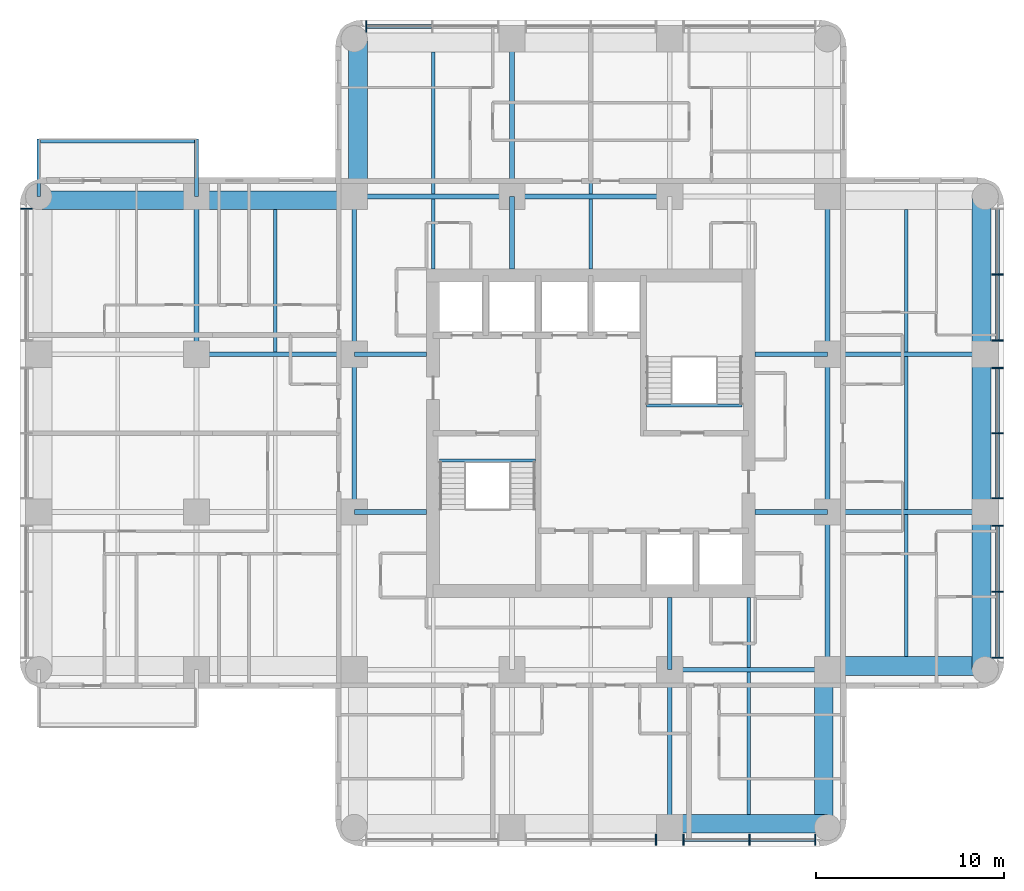
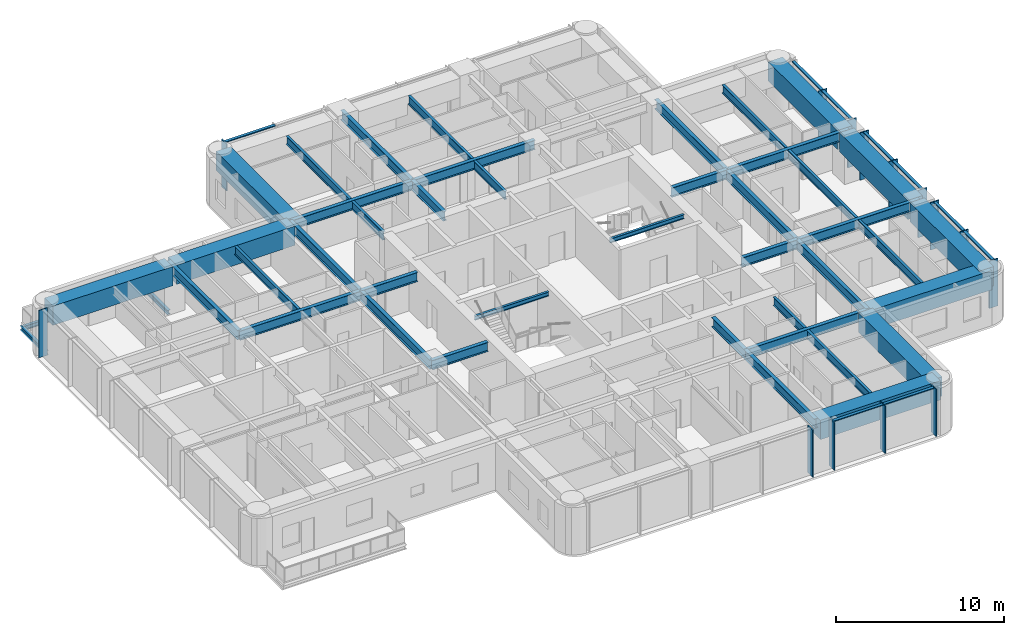
# One storey, part 2 of 11: 44 beams, 23 members, 4 elements without a shape of their own.
"""IFC4 building model written with IfcOpenShell, lengths in metres."""

from ifc_helpers import new_model, si_unit, direction, frame, origin, origin_2d, place, context, subcontext, project, spatial, rectangle, i_section, extrude, material, material_profile, profile_set, type_object, element, aggregate, save


model = new_model("IFC4")

# Units and contexts
model_context = context("Model", 3, precision=1e-05, world=origin(), true_north=direction((0.0, 1.0)))
body_context = subcontext(model_context, "Body", "Model", "MODEL_VIEW")
ifc_project = project(units=[si_unit("LENGTHUNIT", "METRE"), si_unit("AREAUNIT", "SQUARE_METRE"), si_unit("VOLUMEUNIT", "CUBIC_METRE"), si_unit("PLANEANGLEUNIT", "RADIAN"), si_unit("MASSUNIT", "GRAM", prefix="KILO")], contexts=[model_context])

# Site, building, storey
site_placement = place(None, origin())
site = spatial("IfcSite", under=ifc_project, at=site_placement, CompositionType="ELEMENT")
building_placement = place(site_placement, origin())
building = spatial("IfcBuilding", under=site, at=building_placement, Name="Torre Alcanfor", CompositionType="ELEMENT")
storey_placement = place(building_placement, frame((0.0, 0.0, 237.300048828125)))
storey = spatial("IfcBuildingStorey", under=building, at=storey_placement, Name="L62", CompositionType="ELEMENT", Elevation=237.300048828125)

# Beams
ifc_material_1 = material(Name="Steel ASTM A992 Grade 50", Category="steel")
ifc_material_profile_1 = material_profile(ifc_material_1, i_section(OverallWidth=0.205322265625, OverallDepth=0.309814453125, WebThickness=0.00927734375, FlangeThickness=0.016357421875, at=origin_2d()), Name="W12x50")
ifc_profile_set_1 = profile_set([ifc_material_profile_1], Name="Steel ASTM A992 Grade 50")
beam_type_1 = type_object("IfcBeamType", Name="Balcony cantilever beam W12x50", PredefinedType="BEAM", material=ifc_profile_set_1)
for number, where, z_axis, x_axis, name in (
    (1, (8.39990234375, 42.0, -0.35498046875), (0.0, 1.0, 0.0), (-1.0, 0.0, 0.0), "Balcony cantilever beam L62-W2 1"),
    (2, (0.0, 42.0, -0.35498046875), (0.0, 1.0, 0.0), (-1.0, 0.0, 0.0), "Balcony cantilever beam L62-W2 2"),
):
    element("IfcBeam", number, at=place(storey_placement, frame(where, z_axis=z_axis, x_axis=x_axis)), inside=storey, type_object=beam_type_1, Name=name, PredefinedType="BEAM", context=body_context, shape_type="SweptSolid", body=[
        extrude(i_section(OverallWidth=0.205322265625, OverallDepth=0.309814453125, WebThickness=0.00927734375, FlangeThickness=0.016357421875, at=origin_2d()), origin(), (0.0, 0.0, 1.0), 3.050048828125),
    ])
ifc_material_2 = material(Name="Steel ASTM A992 Grade 50", Category="steel")
ifc_material_profile_2 = material_profile(ifc_material_2, i_section(OverallWidth=0.203369140625, OverallDepth=0.30224609375, WebThickness=0.007568359375, FlangeThickness=0.01318359375, at=origin_2d()), Name="W12x40")
ifc_profile_set_2 = profile_set([ifc_material_profile_2], Name="Steel ASTM A992 Grade 50")
beam_type_2 = type_object("IfcBeamType", Name="Balcony edge trimmer W12x40", PredefinedType="BEAM", material=ifc_profile_set_2)
beam_1_placement = place(storey_placement, frame((8.39990234375, 44.9482421875, -0.35107421875), z_axis=(-1.0, 0.0, 0.0), x_axis=(0.0, -1.0, 0.0)))
element("IfcBeam", 3, at=beam_1_placement, inside=storey, type_object=beam_type_2, Name="Balcony edge trimmer L62-W2", PredefinedType="BEAM", context=body_context, shape_type="SweptSolid", body=[
    extrude(i_section(OverallWidth=0.203369140625, OverallDepth=0.30224609375, WebThickness=0.007568359375, FlangeThickness=0.01318359375, at=origin_2d()), origin(), (0.0, 0.0, 1.0), 8.39990234375),
])

# Curtain wall, member
ifc_material_3 = material(Name="Aluminium and glass", Category="aluminium")
curtain_wall_type = type_object("IfcCurtainWallType", Name="CW-A unitised apartment glazing with vertical FIN", PredefinedType="NOTDEFINED", material=ifc_material_3)
curtain_wall_1_placement = place(storey_placement, origin())
curtain_wall_1 = element("IfcCurtainWall", 4, at=curtain_wall_1_placement, inside=storey, type_object=curtain_wall_type, Name="Curtain wall CW-A L62 2", PredefinedType="NOTDEFINED")
ifc_material_4 = material(Name="Bronze anodised aluminium", Category="aluminium")
ifc_material_profile_3 = material_profile(ifc_material_4, rectangle(XDim=0.60009765625, YDim=0.06494140625, at=origin_2d()), Name="CW-A mullion 65x600")
ifc_profile_set_3 = profile_set([ifc_material_profile_3], Name="Bronze anodised aluminium")
member_type_1 = type_object("IfcMemberType", Name="CW-A mullion with vertical FIN 65x600", PredefinedType="MULLION", material=ifc_profile_set_3)
member_1_placement = place(storey_placement, frame((-0.64990234375, 41.35546875, 0.0), z_axis=(0.0, 0.0, 1.0), x_axis=(1.0, 0.0, 0.0)))
member_1 = element("IfcMember", 5, at=member_1_placement, type_object=member_type_1, Name="CW-A mullion 1.1", PredefinedType="MULLION", context=body_context, shape_type="SweptSolid", body=[
    extrude(rectangle(XDim=0.60009765625, YDim=0.06494140625, at=origin_2d()), origin(), (0.0, 0.0, 1.0), 3.449951171875),
])
aggregate(curtain_wall_1, [member_1])

# Curtain wall, members
curtain_wall_2_placement = place(storey_placement, origin())
curtain_wall_2 = element("IfcCurtainWall", 6, at=curtain_wall_2_placement, inside=storey, type_object=curtain_wall_type, Name="Curtain wall CW-A L62 5", PredefinedType="NOTDEFINED")
member_2_placement = place(storey_placement, frame((32.862548828125, 7.75, 0.0), z_axis=(0.0, 0.0, 1.0), x_axis=(0.0, 1.0, 0.0)))
member_2 = element("IfcMember", 7, at=member_2_placement, type_object=member_type_1, Name="CW-A mullion 2.3", PredefinedType="MULLION", context=body_context, shape_type="SweptSolid", body=[
    extrude(rectangle(XDim=0.60009765625, YDim=0.06494140625, at=origin_2d()), origin(), (0.0, 0.0, 1.0), 3.449951171875),
])
member_3_placement = place(storey_placement, frame((34.33740234375, 7.75, 0.0), z_axis=(0.0, 0.0, 1.0), x_axis=(0.0, 1.0, 0.0)))
member_3 = element("IfcMember", 8, at=member_3_placement, type_object=member_type_1, Name="CW-A mullion 3.1", PredefinedType="MULLION", context=body_context, shape_type="SweptSolid", body=[
    extrude(rectangle(XDim=0.60009765625, YDim=0.06494140625, at=origin_2d()), origin(), (0.0, 0.0, 1.0), 3.449951171875),
])
member_4_placement = place(storey_placement, frame((37.846435546875, 7.75, 0.0), z_axis=(0.0, 0.0, 1.0), x_axis=(0.0, 1.0, 0.0)))
member_4 = element("IfcMember", 9, at=member_4_placement, type_object=member_type_1, Name="CW-A mullion 3.2", PredefinedType="MULLION", context=body_context, shape_type="SweptSolid", body=[
    extrude(rectangle(XDim=0.60009765625, YDim=0.06494140625, at=origin_2d()), origin(), (0.0, 0.0, 1.0), 3.449951171875),
])
member_5_placement = place(storey_placement, frame((41.35546875, 7.75, 0.0), z_axis=(0.0, 0.0, 1.0), x_axis=(0.0, 1.0, 0.0)))
member_5 = element("IfcMember", 10, at=member_5_placement, type_object=member_type_1, Name="CW-A mullion 3.3", PredefinedType="MULLION", context=body_context, shape_type="SweptSolid", body=[
    extrude(rectangle(XDim=0.60009765625, YDim=0.06494140625, at=origin_2d()), origin(), (0.0, 0.0, 1.0), 3.449951171875),
])

curtain_wall_3_placement = place(storey_placement, origin())
curtain_wall_3 = element("IfcCurtainWall", 11, at=curtain_wall_3_placement, inside=storey, type_object=curtain_wall_type, Name="Curtain wall CW-A L62 8", PredefinedType="NOTDEFINED")
member_6_placement = place(storey_placement, frame((51.050048828125, 17.444580078125, 0.0), z_axis=(0.0, 0.0, 1.0), x_axis=(-1.0, 0.0, 0.0)))
member_6 = element("IfcMember", 12, at=member_6_placement, type_object=member_type_1, Name="CW-A mullion 1.1", PredefinedType="MULLION", context=body_context, shape_type="SweptSolid", body=[
    extrude(rectangle(XDim=0.60009765625, YDim=0.06494140625, at=origin_2d()), origin(), (0.0, 0.0, 1.0), 3.449951171875),
])
member_7_placement = place(storey_placement, frame((51.050048828125, 20.95361328125, 0.0), z_axis=(0.0, 0.0, 1.0), x_axis=(-1.0, 0.0, 0.0)))
member_7 = element("IfcMember", 13, at=member_7_placement, type_object=member_type_1, Name="CW-A mullion 1.2", PredefinedType="MULLION", context=body_context, shape_type="SweptSolid", body=[
    extrude(rectangle(XDim=0.60009765625, YDim=0.06494140625, at=origin_2d()), origin(), (0.0, 0.0, 1.0), 3.449951171875),
])
member_8_placement = place(storey_placement, frame((51.050048828125, 24.46240234375, 0.0), z_axis=(0.0, 0.0, 1.0), x_axis=(-1.0, 0.0, 0.0)))
member_8 = element("IfcMember", 14, at=member_8_placement, type_object=member_type_1, Name="CW-A mullion 1.3", PredefinedType="MULLION", context=body_context, shape_type="SweptSolid", body=[
    extrude(rectangle(XDim=0.60009765625, YDim=0.06494140625, at=origin_2d()), origin(), (0.0, 0.0, 1.0), 3.449951171875),
])
member_9_placement = place(storey_placement, frame((51.050048828125, 25.9375, 0.0), z_axis=(0.0, 0.0, 1.0), x_axis=(-1.0, 0.0, 0.0)))
member_9 = element("IfcMember", 15, at=member_9_placement, type_object=member_type_1, Name="CW-A mullion 2.1", PredefinedType="MULLION", context=body_context, shape_type="SweptSolid", body=[
    extrude(rectangle(XDim=0.60009765625, YDim=0.06494140625, at=origin_2d()), origin(), (0.0, 0.0, 1.0), 3.449951171875),
])
member_10_placement = place(storey_placement, frame((51.050048828125, 29.39990234375, 0.0), z_axis=(0.0, 0.0, 1.0), x_axis=(-1.0, 0.0, 0.0)))
member_10 = element("IfcMember", 16, at=member_10_placement, type_object=member_type_1, Name="CW-A mullion 2.2", PredefinedType="MULLION", context=body_context, shape_type="SweptSolid", body=[
    extrude(rectangle(XDim=0.60009765625, YDim=0.06494140625, at=origin_2d()), origin(), (0.0, 0.0, 1.0), 3.449951171875),
])
member_11_placement = place(storey_placement, frame((51.050048828125, 32.862548828125, 0.0), z_axis=(0.0, 0.0, 1.0), x_axis=(-1.0, 0.0, 0.0)))
member_11 = element("IfcMember", 17, at=member_11_placement, type_object=member_type_1, Name="CW-A mullion 2.3", PredefinedType="MULLION", context=body_context, shape_type="SweptSolid", body=[
    extrude(rectangle(XDim=0.60009765625, YDim=0.06494140625, at=origin_2d()), origin(), (0.0, 0.0, 1.0), 3.449951171875),
])
member_12_placement = place(storey_placement, frame((51.050048828125, 34.33740234375, 0.0), z_axis=(0.0, 0.0, 1.0), x_axis=(-1.0, 0.0, 0.0)))
member_12 = element("IfcMember", 18, at=member_12_placement, type_object=member_type_1, Name="CW-A mullion 3.1", PredefinedType="MULLION", context=body_context, shape_type="SweptSolid", body=[
    extrude(rectangle(XDim=0.60009765625, YDim=0.06494140625, at=origin_2d()), origin(), (0.0, 0.0, 1.0), 3.449951171875),
])
member_13_placement = place(storey_placement, frame((51.050048828125, 37.846435546875, 0.0), z_axis=(0.0, 0.0, 1.0), x_axis=(-1.0, 0.0, 0.0)))
member_13 = element("IfcMember", 19, at=member_13_placement, type_object=member_type_1, Name="CW-A mullion 3.2", PredefinedType="MULLION", context=body_context, shape_type="SweptSolid", body=[
    extrude(rectangle(XDim=0.60009765625, YDim=0.06494140625, at=origin_2d()), origin(), (0.0, 0.0, 1.0), 3.449951171875),
])

# Curtain wall, member
curtain_wall_4_placement = place(storey_placement, origin())
curtain_wall_4 = element("IfcCurtainWall", 20, at=curtain_wall_4_placement, inside=storey, type_object=curtain_wall_type, Name="Curtain wall CW-A L62 11", PredefinedType="NOTDEFINED")
member_14_placement = place(storey_placement, frame((17.444580078125, 51.050048828125, 0.0), z_axis=(0.0, 0.0, 1.0), x_axis=(0.0, -1.0, 0.0)))
member_14 = element("IfcMember", 21, at=member_14_placement, type_object=member_type_1, Name="CW-A mullion 3.3", PredefinedType="MULLION", context=body_context, shape_type="SweptSolid", body=[
    extrude(rectangle(XDim=0.60009765625, YDim=0.06494140625, at=origin_2d()), origin(), (0.0, 0.0, 1.0), 3.449951171875),
])

# Member
ifc_material_5 = material(Name="Extruded aluminium", Category="aluminium")
ifc_material_profile_4 = material_profile(ifc_material_5, rectangle(XDim=0.199951171875, YDim=0.06494140625, at=origin_2d()), Name="CW-A transom 200x65")
ifc_profile_set_4 = profile_set([ifc_material_profile_4], Name="Extruded aluminium")
member_type_2 = type_object("IfcMemberType", Name="CW-A transom 65x200", PredefinedType="USERDEFINED", material=ifc_profile_set_4)
member_15_placement = place(storey_placement, frame((34.3701171875, 7.75, 3.41748046875), z_axis=(1.0, 0.0, 0.0), x_axis=(0.0, 1.0, 0.0)))
member_15 = element("IfcMember", 22, at=member_15_placement, type_object=member_type_2, Name="CW-A transom 3.1.2", ObjectType="TRANSOM", PredefinedType="USERDEFINED", context=body_context, shape_type="SweptSolid", body=[
    extrude(rectangle(XDim=0.199951171875, YDim=0.06494140625, at=origin_2d()), origin(), (0.0, 0.0, 1.0), 3.44384765625),
])

member_16_placement = place(storey_placement, frame((37.87890625, 7.75, 3.41748046875), z_axis=(1.0, 0.0, 0.0), x_axis=(0.0, 1.0, 0.0)))
member_16 = element("IfcMember", 23, at=member_16_placement, type_object=member_type_2, Name="CW-A transom 3.2.2", ObjectType="TRANSOM", PredefinedType="USERDEFINED", context=body_context, shape_type="SweptSolid", body=[
    extrude(rectangle(XDim=0.199951171875, YDim=0.06494140625, at=origin_2d()), origin(), (0.0, 0.0, 1.0), 3.444091796875),
])

aggregate(curtain_wall_2, [member_2, member_3, member_4, member_5, member_15, member_16])

member_17_placement = place(storey_placement, frame((51.050048828125, 17.47705078125, 3.41748046875), z_axis=(0.0, 1.0, 0.0), x_axis=(-1.0, 0.0, 0.0)))
member_17 = element("IfcMember", 24, at=member_17_placement, type_object=member_type_2, Name="CW-A transom 1.1.2", ObjectType="TRANSOM", PredefinedType="USERDEFINED", context=body_context, shape_type="SweptSolid", body=[
    extrude(rectangle(XDim=0.199951171875, YDim=0.06494140625, at=origin_2d()), origin(), (0.0, 0.0, 1.0), 3.44384765625),
])

member_18_placement = place(storey_placement, frame((51.050048828125, 20.986083984375, 3.41748046875), z_axis=(0.0, 1.0, 0.0), x_axis=(-1.0, 0.0, 0.0)))
member_18 = element("IfcMember", 25, at=member_18_placement, type_object=member_type_2, Name="CW-A transom 1.2.2", ObjectType="TRANSOM", PredefinedType="USERDEFINED", context=body_context, shape_type="SweptSolid", body=[
    extrude(rectangle(XDim=0.199951171875, YDim=0.06494140625, at=origin_2d()), origin(), (0.0, 0.0, 1.0), 3.44384765625),
])

member_19_placement = place(storey_placement, frame((51.050048828125, 25.969970703125, 3.41748046875), z_axis=(0.0, 1.0, 0.0), x_axis=(-1.0, 0.0, 0.0)))
member_19 = element("IfcMember", 26, at=member_19_placement, type_object=member_type_2, Name="CW-A transom 2.1.2", ObjectType="TRANSOM", PredefinedType="USERDEFINED", context=body_context, shape_type="SweptSolid", body=[
    extrude(rectangle(XDim=0.199951171875, YDim=0.06494140625, at=origin_2d()), origin(), (0.0, 0.0, 1.0), 3.3974609375),
])

member_20_placement = place(storey_placement, frame((51.050048828125, 29.4326171875, 3.41748046875), z_axis=(0.0, 1.0, 0.0), x_axis=(-1.0, 0.0, 0.0)))
member_20 = element("IfcMember", 27, at=member_20_placement, type_object=member_type_2, Name="CW-A transom 2.2.2", ObjectType="TRANSOM", PredefinedType="USERDEFINED", context=body_context, shape_type="SweptSolid", body=[
    extrude(rectangle(XDim=0.199951171875, YDim=0.06494140625, at=origin_2d()), origin(), (0.0, 0.0, 1.0), 3.3974609375),
])

member_21_placement = place(storey_placement, frame((51.050048828125, 34.3701171875, 3.41748046875), z_axis=(0.0, 1.0, 0.0), x_axis=(-1.0, 0.0, 0.0)))
member_21 = element("IfcMember", 28, at=member_21_placement, type_object=member_type_2, Name="CW-A transom 3.1.2", ObjectType="TRANSOM", PredefinedType="USERDEFINED", context=body_context, shape_type="SweptSolid", body=[
    extrude(rectangle(XDim=0.199951171875, YDim=0.06494140625, at=origin_2d()), origin(), (0.0, 0.0, 1.0), 3.44384765625),
])

member_22_placement = place(storey_placement, frame((51.050048828125, 37.87890625, 3.41748046875), z_axis=(0.0, 1.0, 0.0), x_axis=(-1.0, 0.0, 0.0)))
member_22 = element("IfcMember", 29, at=member_22_placement, type_object=member_type_2, Name="CW-A transom 3.2.2", ObjectType="TRANSOM", PredefinedType="USERDEFINED", context=body_context, shape_type="SweptSolid", body=[
    extrude(rectangle(XDim=0.199951171875, YDim=0.06494140625, at=origin_2d()), origin(), (0.0, 0.0, 1.0), 3.444091796875),
])

aggregate(curtain_wall_3, [member_6, member_7, member_8, member_17, member_18, member_9, member_10, member_11, member_19, member_20, member_12, member_13, member_21, member_22])

member_23_placement = place(storey_placement, frame((20.9208984375, 51.050048828125, 3.41748046875), z_axis=(-1.0, 0.0, 0.0), x_axis=(0.0, -1.0, 0.0)))
member_23 = element("IfcMember", 30, at=member_23_placement, type_object=member_type_2, Name="CW-A transom 3.2.2", ObjectType="TRANSOM", PredefinedType="USERDEFINED", context=body_context, shape_type="SweptSolid", body=[
    extrude(rectangle(XDim=0.199951171875, YDim=0.06494140625, at=origin_2d()), origin(), (0.0, 0.0, 1.0), 3.44384765625),
])

aggregate(curtain_wall_4, [member_14, member_23])

# Beams
ifc_material_6 = material(Name="Steel ASTM A992 Grade 50", Category="steel")
ifc_material_profile_5 = material_profile(ifc_material_6, i_section(OverallWidth=0.25390625, OverallDepth=0.683349609375, WebThickness=0.012451171875, FlangeThickness=0.01904296875, at=origin_2d()), Name="W27x94")
ifc_profile_set_5 = profile_set([ifc_material_profile_5], Name="Steel ASTM A992 Grade 50")
beam_type_3 = type_object("IfcBeamType", Name="Girder W27x94", PredefinedType="BEAM", material=ifc_profile_set_5)
for number, where, z_axis, x_axis, name in (
    (31, (33.60009765625, 16.800048828125, 3.1083984375), (1.0, 0.0, 0.0), (0.0, 1.0, 0.0), "Beam 5E-6E under L63"),
    (32, (42.0, 25.199951171875, 3.1083984375), (1.0, 0.0, 0.0), (0.0, 1.0, 0.0), "Beam 6F-7F under L63"),
):
    element("IfcBeam", number, at=place(storey_placement, frame(where, z_axis=z_axis, x_axis=x_axis)), inside=storey, type_object=beam_type_3, Name=name, PredefinedType="BEAM", context=body_context, shape_type="SweptSolid", body=[
        extrude(i_section(OverallWidth=0.25390625, OverallDepth=0.683349609375, WebThickness=0.012451171875, FlangeThickness=0.01904296875, at=origin_2d()), origin(), (0.0, 0.0, 1.0), 8.39990234375),
    ])
beam_2_placement = place(storey_placement, frame((8.39990234375, 33.60009765625, 3.1083984375), z_axis=(1.0, 0.0, 0.0), x_axis=(0.0, 1.0, 0.0)))
element("IfcBeam", 33, at=beam_2_placement, inside=storey, type_object=beam_type_3, Name="Beam 2G-3G under L63", PredefinedType="BEAM", context=body_context, shape_type="SweptSolid", body=[
    extrude(i_section(OverallWidth=0.25390625, OverallDepth=0.683349609375, WebThickness=0.012451171875, FlangeThickness=0.01904296875, at=origin_2d()), origin(), (0.0, 0.0, 1.0), 8.400146484375),
])
for number, where, z_axis, x_axis, name in (
    (34, (42.0, 33.60009765625, 3.1083984375), (1.0, 0.0, 0.0), (0.0, 1.0, 0.0), "Beam 6G-7G under L63"),
    (35, (16.800048828125, 42.0, 3.1083984375), (1.0, 0.0, 0.0), (0.0, 1.0, 0.0), "Beam 3H-4H under L63"),
):
    element("IfcBeam", number, at=place(storey_placement, frame(where, z_axis=z_axis, x_axis=x_axis)), inside=storey, type_object=beam_type_3, Name=name, PredefinedType="BEAM", context=body_context, shape_type="SweptSolid", body=[
        extrude(i_section(OverallWidth=0.25390625, OverallDepth=0.683349609375, WebThickness=0.012451171875, FlangeThickness=0.01904296875, at=origin_2d()), origin(), (0.0, 0.0, 1.0), 8.39990234375),
    ])
beam_3_placement = place(storey_placement, frame((25.199951171875, 42.0, 3.1083984375), z_axis=(1.0, 0.0, 0.0), x_axis=(0.0, 1.0, 0.0)))
element("IfcBeam", 36, at=beam_3_placement, inside=storey, type_object=beam_type_3, Name="Beam 4H-5H under L63", PredefinedType="BEAM", context=body_context, shape_type="SweptSolid", body=[
    extrude(i_section(OverallWidth=0.25390625, OverallDepth=0.683349609375, WebThickness=0.012451171875, FlangeThickness=0.01904296875, at=origin_2d()), origin(), (0.0, 0.0, 1.0), 8.400146484375),
])
beam_4_placement = place(storey_placement, frame((8.39990234375, 33.60009765625, 3.1083984375), z_axis=(0.0, 1.0, 0.0), x_axis=(-1.0, 0.0, 0.0)))
element("IfcBeam", 37, at=beam_4_placement, inside=storey, type_object=beam_type_3, Name="Beam 2G-2H under L63", PredefinedType="BEAM", context=body_context, shape_type="SweptSolid", body=[
    extrude(i_section(OverallWidth=0.25390625, OverallDepth=0.683349609375, WebThickness=0.012451171875, FlangeThickness=0.01904296875, at=origin_2d()), origin(), (0.0, 0.0, 1.0), 8.39990234375),
])
beam_5_placement = place(storey_placement, frame((16.800048828125, 25.199951171875, 3.1083984375), z_axis=(0.0, 1.0, 0.0), x_axis=(-1.0, 0.0, 0.0)))
element("IfcBeam", 38, at=beam_5_placement, inside=storey, type_object=beam_type_3, Name="Beam 3F-3G under L63", PredefinedType="BEAM", context=body_context, shape_type="SweptSolid", body=[
    extrude(i_section(OverallWidth=0.25390625, OverallDepth=0.683349609375, WebThickness=0.012451171875, FlangeThickness=0.01904296875, at=origin_2d()), origin(), (0.0, 0.0, 1.0), 8.400146484375),
])
for number, where, z_axis, x_axis, name in (
    (39, (16.800048828125, 33.60009765625, 3.1083984375), (0.0, 1.0, 0.0), (-1.0, 0.0, 0.0), "Beam 3G-3H under L63"),
    (40, (25.199951171875, 42.0, 3.1083984375), (0.0, 1.0, 0.0), (-1.0, 0.0, 0.0), "Beam 4H-4J under L63"),
):
    element("IfcBeam", number, at=place(storey_placement, frame(where, z_axis=z_axis, x_axis=x_axis)), inside=storey, type_object=beam_type_3, Name=name, PredefinedType="BEAM", context=body_context, shape_type="SweptSolid", body=[
        extrude(i_section(OverallWidth=0.25390625, OverallDepth=0.683349609375, WebThickness=0.012451171875, FlangeThickness=0.01904296875, at=origin_2d()), origin(), (0.0, 0.0, 1.0), 8.39990234375),
    ])
beam_6_placement = place(storey_placement, frame((33.60009765625, 8.39990234375, 3.1083984375), z_axis=(0.0, 1.0, 0.0), x_axis=(-1.0, 0.0, 0.0)))
element("IfcBeam", 41, at=beam_6_placement, inside=storey, type_object=beam_type_3, Name="Beam 5D-5E under L63", PredefinedType="BEAM", context=body_context, shape_type="SweptSolid", body=[
    extrude(i_section(OverallWidth=0.25390625, OverallDepth=0.683349609375, WebThickness=0.012451171875, FlangeThickness=0.01904296875, at=origin_2d()), origin(), (0.0, 0.0, 1.0), 8.400146484375),
])
beam_7_placement = place(storey_placement, frame((42.0, 16.800048828125, 3.1083984375), z_axis=(0.0, 1.0, 0.0), x_axis=(-1.0, 0.0, 0.0)))
element("IfcBeam", 42, at=beam_7_placement, inside=storey, type_object=beam_type_3, Name="Beam 6E-6F under L63", PredefinedType="BEAM", context=body_context, shape_type="SweptSolid", body=[
    extrude(i_section(OverallWidth=0.25390625, OverallDepth=0.683349609375, WebThickness=0.012451171875, FlangeThickness=0.01904296875, at=origin_2d()), origin(), (0.0, 0.0, 1.0), 8.39990234375),
])
beam_8_placement = place(storey_placement, frame((42.0, 25.199951171875, 3.1083984375), z_axis=(0.0, 1.0, 0.0), x_axis=(-1.0, 0.0, 0.0)))
element("IfcBeam", 43, at=beam_8_placement, inside=storey, type_object=beam_type_3, Name="Beam 6F-6G under L63", PredefinedType="BEAM", context=body_context, shape_type="SweptSolid", body=[
    extrude(i_section(OverallWidth=0.25390625, OverallDepth=0.683349609375, WebThickness=0.012451171875, FlangeThickness=0.01904296875, at=origin_2d()), origin(), (0.0, 0.0, 1.0), 8.400146484375),
])
beam_9_placement = place(storey_placement, frame((42.0, 33.60009765625, 3.1083984375), z_axis=(0.0, 1.0, 0.0), x_axis=(-1.0, 0.0, 0.0)))
element("IfcBeam", 44, at=beam_9_placement, inside=storey, type_object=beam_type_3, Name="Beam 6G-6H under L63", PredefinedType="BEAM", context=body_context, shape_type="SweptSolid", body=[
    extrude(i_section(OverallWidth=0.25390625, OverallDepth=0.683349609375, WebThickness=0.012451171875, FlangeThickness=0.01904296875, at=origin_2d()), origin(), (0.0, 0.0, 1.0), 8.39990234375),
])
ifc_material_7 = material(Name="Steel ASTM A992 Grade 50", Category="steel")
ifc_material_profile_6 = material_profile(ifc_material_7, i_section(OverallWidth=0.25390625, OverallDepth=0.683349609375, WebThickness=0.012451171875, FlangeThickness=0.01904296875, at=origin_2d()), Name="W27x94")
ifc_profile_set_6 = profile_set([ifc_material_profile_6], Name="Steel ASTM A992 Grade 50")
beam_type_4 = type_object("IfcBeamType", Name="Girder, part bay W27x94", PredefinedType="BEAM", material=ifc_profile_set_6)
beam_10_placement = place(storey_placement, frame((25.199951171875, 42.0, 3.1083984375), z_axis=(0.0, -1.0, 0.0), x_axis=(1.0, 0.0, 0.0)))
element("IfcBeam", 45, at=beam_10_placement, inside=storey, type_object=beam_type_4, Name="Beam 4H-438_15 under L63", PredefinedType="BEAM", context=body_context, shape_type="SweptSolid", body=[
    extrude(i_section(OverallWidth=0.25390625, OverallDepth=0.683349609375, WebThickness=0.012451171875, FlangeThickness=0.01904296875, at=origin_2d()), origin(), (0.0, 0.0, 1.0), 3.85009765625),
])
for number, where, z_axis, x_axis, name in (
    (46, (33.60009765625, 16.800048828125, 3.1083984375), (0.0, 1.0, 0.0), (-1.0, 0.0, 0.0), "Beam 5E-520_65 under L63"),
    (47, (16.800048828125, 25.199951171875, 3.1083984375), (1.0, 0.0, 0.0), (0.0, 1.0, 0.0), "Beam 3F-20_65F under L63"),
):
    element("IfcBeam", number, at=place(storey_placement, frame(where, z_axis=z_axis, x_axis=x_axis)), inside=storey, type_object=beam_type_4, Name=name, PredefinedType="BEAM", context=body_context, shape_type="SweptSolid", body=[
        extrude(i_section(OverallWidth=0.25390625, OverallDepth=0.683349609375, WebThickness=0.012451171875, FlangeThickness=0.01904296875, at=origin_2d()), origin(), (0.0, 0.0, 1.0), 3.849853515625),
    ])
beam_11_placement = place(storey_placement, frame((42.0, 25.199951171875, 3.1083984375), z_axis=(-1.0, 0.0, 0.0), x_axis=(0.0, -1.0, 0.0)))
element("IfcBeam", 48, at=beam_11_placement, inside=storey, type_object=beam_type_4, Name="Beam 6F-38_15F under L63", PredefinedType="BEAM", context=body_context, shape_type="SweptSolid", body=[
    extrude(i_section(OverallWidth=0.25390625, OverallDepth=0.683349609375, WebThickness=0.012451171875, FlangeThickness=0.01904296875, at=origin_2d()), origin(), (0.0, 0.0, 1.0), 3.85009765625),
])
beam_12_placement = place(storey_placement, frame((16.800048828125, 33.60009765625, 3.1083984375), z_axis=(1.0, 0.0, 0.0), x_axis=(0.0, 1.0, 0.0)))
element("IfcBeam", 49, at=beam_12_placement, inside=storey, type_object=beam_type_4, Name="Beam 3G-20_65G under L63", PredefinedType="BEAM", context=body_context, shape_type="SweptSolid", body=[
    extrude(i_section(OverallWidth=0.25390625, OverallDepth=0.683349609375, WebThickness=0.012451171875, FlangeThickness=0.01904296875, at=origin_2d()), origin(), (0.0, 0.0, 1.0), 3.849853515625),
])
beam_13_placement = place(storey_placement, frame((42.0, 33.60009765625, 3.1083984375), z_axis=(-1.0, 0.0, 0.0), x_axis=(0.0, -1.0, 0.0)))
element("IfcBeam", 50, at=beam_13_placement, inside=storey, type_object=beam_type_4, Name="Beam 6G-38_15G under L63", PredefinedType="BEAM", context=body_context, shape_type="SweptSolid", body=[
    extrude(i_section(OverallWidth=0.25390625, OverallDepth=0.683349609375, WebThickness=0.012451171875, FlangeThickness=0.01904296875, at=origin_2d()), origin(), (0.0, 0.0, 1.0), 3.85009765625),
])
ifc_material_8 = material(Name="Concrete f'c 70 MPa", Category="concrete")
ifc_material_profile_7 = material_profile(ifc_material_8, rectangle(XDim=1.0, YDim=1.39990234375, at=origin_2d()), Name="1000x1400")
ifc_profile_set_7 = profile_set([ifc_material_profile_7], Name="Concrete f'c 70 MPa")
beam_type_5 = type_object("IfcBeamType", Name="RC perimeter beam 1000x1400", PredefinedType="BEAM", material=ifc_profile_set_7)
for number, where, z_axis, x_axis, name in (
    (51, (33.72705078125, 8.60009765625, 2.75), (1.0, 0.0, 0.0), (0.0, 1.0, 0.0), "Beam 5D-6D under L63"),
    (52, (42.126953125, 17.0, 2.75), (1.0, 0.0, 0.0), (0.0, 1.0, 0.0), "Beam 6E-7E under L63"),
    (53, (0.0, 41.800048828125, 2.75), (1.0, 0.0, 0.0), (0.0, 1.0, 0.0), "Beam 1H-2H under L63"),
):
    element("IfcBeam", number, at=place(storey_placement, frame(where, z_axis=z_axis, x_axis=x_axis)), inside=storey, type_object=beam_type_5, Name=name, PredefinedType="BEAM", context=body_context, shape_type="SweptSolid", body=[
        extrude(rectangle(XDim=1.0, YDim=1.39990234375, at=origin_2d()), origin(), (0.0, 0.0, 1.0), 8.27294921875),
    ])
beam_14_placement = place(storey_placement, frame((8.527099609375, 41.800048828125, 2.75), z_axis=(1.0, 0.0, 0.0), x_axis=(0.0, 1.0, 0.0)))
element("IfcBeam", 54, at=beam_14_placement, inside=storey, type_object=beam_type_5, Name="Beam 2H-3H under L63", PredefinedType="BEAM", context=body_context, shape_type="SweptSolid", body=[
    extrude(rectangle(XDim=1.0, YDim=1.39990234375, at=origin_2d()), origin(), (0.0, 0.0, 1.0), 8.14599609375),
])
beam_15_placement = place(storey_placement, frame((17.0, 42.126953125, 2.75), z_axis=(0.0, 1.0, 0.0), x_axis=(-1.0, 0.0, 0.0)))
element("IfcBeam", 55, at=beam_15_placement, inside=storey, type_object=beam_type_5, Name="Beam 3H-3J under L63", PredefinedType="BEAM", context=body_context, shape_type="SweptSolid", body=[
    extrude(rectangle(XDim=1.0, YDim=1.39990234375, at=origin_2d()), origin(), (0.0, 0.0, 1.0), 8.27294921875),
])
beam_16_placement = place(storey_placement, frame((41.800048828125, 8.39990234375, 2.75), z_axis=(0.0, 1.0, 0.0), x_axis=(-1.0, 0.0, 0.0)))
element("IfcBeam", 56, at=beam_16_placement, inside=storey, type_object=beam_type_5, Name="Beam 6D-6E under L63", PredefinedType="BEAM", context=body_context, shape_type="SweptSolid", body=[
    extrude(rectangle(XDim=1.0, YDim=1.39990234375, at=origin_2d()), origin(), (0.0, 0.0, 1.0), 8.273193359375),
])
beam_17_placement = place(storey_placement, frame((50.199951171875, 16.800048828125, 2.75), z_axis=(0.0, 1.0, 0.0), x_axis=(-1.0, 0.0, 0.0)))
element("IfcBeam", 57, at=beam_17_placement, inside=storey, type_object=beam_type_5, Name="Beam 7E-7F under L63", PredefinedType="BEAM", context=body_context, shape_type="SweptSolid", body=[
    extrude(rectangle(XDim=1.0, YDim=1.39990234375, at=origin_2d()), origin(), (0.0, 0.0, 1.0), 8.27294921875),
])
beam_18_placement = place(storey_placement, frame((50.199951171875, 25.326904296875, 2.75), z_axis=(0.0, 1.0, 0.0), x_axis=(-1.0, 0.0, 0.0)))
element("IfcBeam", 58, at=beam_18_placement, inside=storey, type_object=beam_type_5, Name="Beam 7F-7G under L63", PredefinedType="BEAM", context=body_context, shape_type="SweptSolid", body=[
    extrude(rectangle(XDim=1.0, YDim=1.39990234375, at=origin_2d()), origin(), (0.0, 0.0, 1.0), 8.14599609375),
])
beam_19_placement = place(storey_placement, frame((50.199951171875, 33.72705078125, 2.75), z_axis=(0.0, 1.0, 0.0), x_axis=(-1.0, 0.0, 0.0)))
element("IfcBeam", 59, at=beam_19_placement, inside=storey, type_object=beam_type_5, Name="Beam 7G-7H under L63", PredefinedType="BEAM", context=body_context, shape_type="SweptSolid", body=[
    extrude(rectangle(XDim=1.0, YDim=1.39990234375, at=origin_2d()), origin(), (0.0, 0.0, 1.0), 8.27294921875),
])
ifc_material_9 = material(Name="Steel ASTM A992 Grade 50", Category="steel")
ifc_material_profile_8 = material_profile(ifc_material_9, i_section(OverallWidth=0.1787109375, OverallDepth=0.60205078125, WebThickness=0.010986328125, FlangeThickness=0.014892578125, at=origin_2d()), Name="W24x62")
ifc_profile_set_8 = profile_set([ifc_material_profile_8], Name="Steel ASTM A992 Grade 50")
beam_type_6 = type_object("IfcBeamType", Name="Secondary beam W24x62", PredefinedType="BEAM", material=ifc_profile_set_8)
for number, where, z_axis, x_axis, name in (
    (60, (12.60009765625, 33.72705078125, 3.14892578125), (0.0, 1.0, 0.0), (-1.0, 0.0, 0.0), "Beam 12_6G-12_6H under L63"),
    (61, (21.0, 42.126953125, 3.14892578125), (0.0, 1.0, 0.0), (-1.0, 0.0, 0.0), "Beam 21H-21J under L63"),
    (62, (29.39990234375, 42.126953125, 3.14892578125), (0.0, 1.0, 0.0), (-1.0, 0.0, 0.0), "Beam 29_4H-29_4J under L63"),
    (63, (37.800048828125, 9.10009765625, 3.14892578125), (0.0, 1.0, 0.0), (-1.0, 0.0, 0.0), "Beam 37_8D-37_8E under L63"),
    (64, (46.199951171875, 17.5, 3.14892578125), (0.0, 1.0, 0.0), (-1.0, 0.0, 0.0), "Beam 46_2E-46_2F under L63"),
):
    element("IfcBeam", number, at=place(storey_placement, frame(where, z_axis=z_axis, x_axis=x_axis)), inside=storey, type_object=beam_type_6, Name=name, PredefinedType="BEAM", context=body_context, shape_type="SweptSolid", body=[
        extrude(i_section(OverallWidth=0.1787109375, OverallDepth=0.60205078125, WebThickness=0.010986328125, FlangeThickness=0.014892578125, at=origin_2d()), origin(), (0.0, 0.0, 1.0), 7.572998046875),
    ])
beam_20_placement = place(storey_placement, frame((46.199951171875, 25.326904296875, 3.14892578125), z_axis=(0.0, 1.0, 0.0), x_axis=(-1.0, 0.0, 0.0)))
element("IfcBeam", 65, at=beam_20_placement, inside=storey, type_object=beam_type_6, Name="Beam 46_2F-46_2G under L63", PredefinedType="BEAM", context=body_context, shape_type="SweptSolid", body=[
    extrude(i_section(OverallWidth=0.1787109375, OverallDepth=0.60205078125, WebThickness=0.010986328125, FlangeThickness=0.014892578125, at=origin_2d()), origin(), (0.0, 0.0, 1.0), 8.14599609375),
])
beam_21_placement = place(storey_placement, frame((46.199951171875, 33.72705078125, 3.14892578125), z_axis=(0.0, 1.0, 0.0), x_axis=(-1.0, 0.0, 0.0)))
element("IfcBeam", 66, at=beam_21_placement, inside=storey, type_object=beam_type_6, Name="Beam 46_2G-46_2H under L63", PredefinedType="BEAM", context=body_context, shape_type="SweptSolid", body=[
    extrude(i_section(OverallWidth=0.1787109375, OverallDepth=0.60205078125, WebThickness=0.010986328125, FlangeThickness=0.014892578125, at=origin_2d()), origin(), (0.0, 0.0, 1.0), 7.572998046875),
])
ifc_material_10 = material(Name="Steel ASTM A992 Grade 50", Category="steel")
ifc_material_profile_9 = material_profile(ifc_material_10, i_section(OverallWidth=0.1787109375, OverallDepth=0.60205078125, WebThickness=0.010986328125, FlangeThickness=0.014892578125, at=origin_2d()), Name="W24x62")
ifc_profile_set_9 = profile_set([ifc_material_profile_9], Name="Steel ASTM A992 Grade 50")
beam_type_7 = type_object("IfcBeamType", Name="Secondary beam, part bay W24x62", PredefinedType="BEAM", material=ifc_profile_set_9)
for number, where, z_axis, x_axis, name in (
    (67, (21.0, 38.14990234375, 3.14892578125), (0.0, 1.0, 0.0), (-1.0, 0.0, 0.0), "Beam 2138_15-21H under L63"),
    (68, (29.39990234375, 38.14990234375, 3.14892578125), (0.0, 1.0, 0.0), (-1.0, 0.0, 0.0), "Beam 29_438_15-29_4H under L63"),
):
    element("IfcBeam", number, at=place(storey_placement, frame(where, z_axis=z_axis, x_axis=x_axis)), inside=storey, type_object=beam_type_7, Name=name, PredefinedType="BEAM", context=body_context, shape_type="SweptSolid", body=[
        extrude(i_section(OverallWidth=0.1787109375, OverallDepth=0.60205078125, WebThickness=0.010986328125, FlangeThickness=0.014892578125, at=origin_2d()), origin(), (0.0, 0.0, 1.0), 3.72314453125),
    ])
beam_22_placement = place(storey_placement, frame((37.800048828125, 16.927001953125, 3.14892578125), z_axis=(0.0, 1.0, 0.0), x_axis=(-1.0, 0.0, 0.0)))
element("IfcBeam", 69, at=beam_22_placement, inside=storey, type_object=beam_type_7, Name="Beam 37_8E-37_820_65 under L63", PredefinedType="BEAM", context=body_context, shape_type="SweptSolid", body=[
    extrude(i_section(OverallWidth=0.1787109375, OverallDepth=0.60205078125, WebThickness=0.010986328125, FlangeThickness=0.014892578125, at=origin_2d()), origin(), (0.0, 0.0, 1.0), 3.722900390625),
])
ifc_material_11 = material(Name="Steel ASTM A992 Grade 50", Category="steel")
ifc_material_profile_10 = material_profile(ifc_material_11, i_section(OverallWidth=0.164794921875, OverallDepth=0.309814453125, WebThickness=0.005859375, FlangeThickness=0.009765625, at=origin_2d()), Name="W12x26")
ifc_profile_set_10 = profile_set([ifc_material_profile_10], Name="Steel ASTM A992 Grade 50")
beam_type_8 = type_object("IfcBeamType", Name="Stair landing beam W12x26", PredefinedType="BEAM", material=ifc_profile_set_10)
for number, where, z_axis, x_axis, name in (
    (70, (21.35009765625, 27.9375, 3.2451171875), (1.0, 0.0, 0.0), (0.0, 1.0, 0.0), "Landing trimmer S1 L63"),
    (71, (32.35009765625, 30.862548828125, 3.2451171875), (1.0, 0.0, 0.0), (0.0, 1.0, 0.0), "Landing trimmer S2 L63"),
):
    element("IfcBeam", number, at=place(storey_placement, frame(where, z_axis=z_axis, x_axis=x_axis)), inside=storey, type_object=beam_type_8, Name=name, PredefinedType="BEAM", context=body_context, shape_type="SweptSolid", body=[
        extrude(i_section(OverallWidth=0.164794921875, OverallDepth=0.309814453125, WebThickness=0.005859375, FlangeThickness=0.009765625, at=origin_2d()), origin(), (0.0, 0.0, 1.0), 5.099853515625),
    ])

save(model, "model.ifc")
